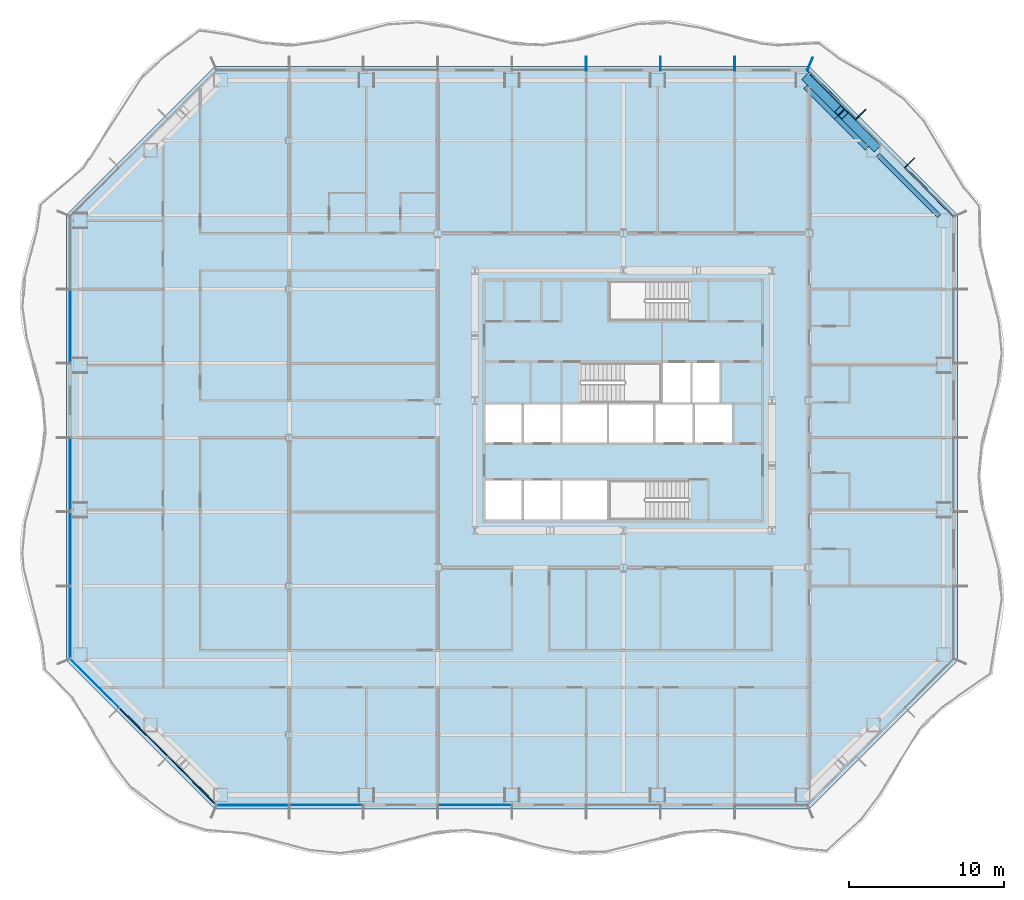
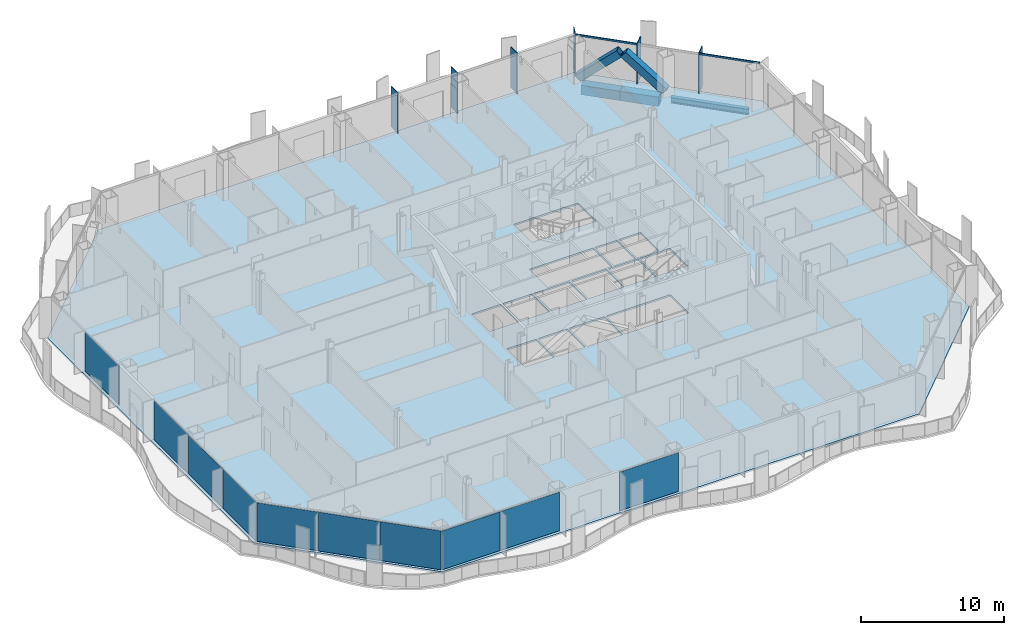
# One storey, part 4 of 18: 10 members, 10 plates, 3 beams, 1 slab, 5 elements without a shape of their own.
"""IFC4 building model written with IfcOpenShell, lengths in metres."""

from ifc_helpers import new_model, si_unit, direction, frame, origin, origin_2d, place, context, subcontext, project, spatial, polyline, rectangle, hollow_rectangle, i_section, outline, extrude, material, layer, layer_set, material_profile, profile_set, type_object, element, aggregate, save


model = new_model("IFC4")

# Units and contexts
model_context = context("Model", 3, precision=1e-05, world=origin(), true_north=direction((0.0, 1.0)))
body_context = subcontext(model_context, "Body", "Model", "MODEL_VIEW")
ifc_project = project(units=[si_unit("LENGTHUNIT", "METRE"), si_unit("AREAUNIT", "SQUARE_METRE"), si_unit("VOLUMEUNIT", "CUBIC_METRE"), si_unit("PLANEANGLEUNIT", "RADIAN"), si_unit("MASSUNIT", "GRAM", prefix="KILO")], contexts=[model_context])

# Site, building, storey
site_placement = place(None, origin())
site = spatial("IfcSite", under=ifc_project, at=site_placement, CompositionType="ELEMENT")
building_placement = place(site_placement, origin())
building = spatial("IfcBuilding", under=site, at=building_placement, Name="Cairn Pilgrim Tower", CompositionType="ELEMENT")
storey_placement = place(building_placement, frame((0.0, 0.0, 65.39990234375)))
storey = spatial("IfcBuildingStorey", under=building, at=storey_placement, Name="L14", CompositionType="ELEMENT", Elevation=65.39990234375)

# Members
ifc_material_1 = material(Name="Structural steel S460M", Category="steel")
ifc_material_profile_1 = material_profile(ifc_material_1, hollow_rectangle(XDim=0.60009765625, YDim=0.60009765625, WallThickness=0.034912109375, at=origin_2d()), Name="BOX 600x600x35")
ifc_profile_set_1 = profile_set([ifc_material_profile_1], Name="Structural steel S460M")
member_type_1 = type_object("IfcMemberType", Name="BOX 600x600x35 BRACE", PredefinedType="BRACE", material=ifc_profile_set_1)
for number, where, z_axis, x_axis, name in (
    (1, (23.4873046875, 18.814697265625, 0.150146484375), (-0.528960912345, 0.52889942671, 0.663675937214), (-0.70706568108, -0.707147878904, 0.0), "XB-NE2-N1-1"),
    (2, (19.078125, 23.2236328125, 0.150146484375), (0.528943710525, -0.528943710525, 0.663654354459), (0.707106781187, 0.707106781187, 0.0), "XB-NE2-N1-2"),
):
    element("IfcMember", number, at=place(storey_placement, frame(where, z_axis=z_axis, x_axis=x_axis)), inside=storey, type_object=member_type_1, Name=name, PredefinedType="BRACE", context=body_context, shape_type="SweptSolid", body=[
        extrude(hollow_rectangle(XDim=0.60009765625, YDim=0.60009765625, WallThickness=0.034912109375, at=origin_2d()), origin(), (0.0, 0.0, 1.0), 3.970703125),
    ])

# Beams
ifc_material_2 = material(Name="Structural steel S355J2", Category="steel")
ifc_material_profile_2 = material_profile(ifc_material_2, hollow_rectangle(XDim=0.699951171875, YDim=0.800048828125, WallThickness=0.0400390625, at=origin_2d()), Name="BOX 700x800x40")
ifc_profile_set_2 = profile_set([ifc_material_profile_2], Name="Structural steel S355J2")
beam_type_1 = type_object("IfcBeamType", Name="BOX 700x800x40 RING GIRDER", PredefinedType="SPANDREL", material=ifc_profile_set_2)
beam_1_placement = place(storey_placement, frame((23.0771484375, 18.85009765625, -0.5498046875), z_axis=(-0.707106781187, 0.707106781187, 0.0), x_axis=(-0.707106781187, -0.707106781187, 0.0)))
element("IfcBeam", 3, at=beam_1_placement, inside=storey, type_object=beam_type_1, Name="RG1-NE2-N1-1", PredefinedType="SPANDREL", context=body_context, shape_type="SweptSolid", body=[
    extrude(hollow_rectangle(XDim=0.699951171875, YDim=0.800048828125, WallThickness=0.0400390625, at=origin_2d()), origin(), (0.0, 0.0, 1.0), 2.802490234375),
])
beam_2_placement = place(storey_placement, frame((21.095458984375, 20.831787109375, -0.5498046875), z_axis=(-0.707106781187, 0.707106781187, 0.0), x_axis=(-0.707106781187, -0.707106781187, 0.0)))
element("IfcBeam", 4, at=beam_2_placement, inside=storey, type_object=beam_type_1, Name="RG1-NE2-N1-2", PredefinedType="SPANDREL", context=body_context, shape_type="SweptSolid", body=[
    extrude(hollow_rectangle(XDim=0.699951171875, YDim=0.800048828125, WallThickness=0.0400390625, at=origin_2d()), origin(), (0.0, 0.0, 1.0), 2.802978515625),
])

# Curtain wall, members
ifc_material_3 = material(Name="Aluminium alloy 6063-T6 bronze anodised with Bronze tinted laminated low-E glass 8+16+8.8", Category="aluminium")
curtain_wall_type_1 = type_object("IfcCurtainWallType", Name="CHAMFER CORNER CURTAIN WALL", PredefinedType="NOTDEFINED", material=ifc_material_3)
curtain_wall_1_placement = place(storey_placement, origin())
curtain_wall_1 = element("IfcCurtainWall", 5, at=curtain_wall_1_placement, inside=storey, type_object=curtain_wall_type_1, Name="Chamfer Corner Curtain Wall NE", PredefinedType="NOTDEFINED")
ifc_material_4 = material(Name="Aluminium alloy 6063-T6 bronze anodised", Category="aluminium")
ifc_material_profile_3 = material_profile(ifc_material_4, rectangle(XDim=0.89990234375, YDim=0.06005859375, at=origin_2d()), Name="FIN MULLION 60x900 BRONZE")
ifc_profile_set_3 = profile_set([ifc_material_profile_3], Name="Aluminium alloy 6063-T6 bronze anodised")
member_type_2 = type_object("IfcMemberType", Name="FIN MULLION 60x900 BRONZE", PredefinedType="MULLION", material=ifc_profile_set_3)
member_1_placement = place(storey_placement, frame((25.69580078125, 17.74462890625, 0.0), z_axis=(0.0, 0.0, 1.0), x_axis=(0.707106781187, 0.707106781187, 0.0)))
member_1 = element("IfcMember", 6, at=member_1_placement, type_object=member_type_2, Name="Fin mullion NE2", PredefinedType="MULLION", context=body_context, shape_type="SweptSolid", body=[
    extrude(rectangle(XDim=0.89990234375, YDim=0.06005859375, at=origin_2d()), origin(), (0.0, 0.0, 1.0), 3.4501953125),
])
member_2_placement = place(storey_placement, frame((22.544677734375, 20.895751953125, 0.0), z_axis=(0.0, 0.0, 1.0), x_axis=(0.707106781187, 0.707106781187, 0.0)))
member_2 = element("IfcMember", 7, at=member_2_placement, type_object=member_type_2, Name="Fin mullion NE3", PredefinedType="MULLION", context=body_context, shape_type="SweptSolid", body=[
    extrude(rectangle(XDim=0.89990234375, YDim=0.06005859375, at=origin_2d()), origin(), (0.0, 0.0, 1.0), 3.4501953125),
])

curtain_wall_type_2 = type_object("IfcCurtainWallType", Name="TOWER STICK CURTAIN WALL NS", PredefinedType="NOTDEFINED", material=ifc_material_3)
curtain_wall_2_placement = place(storey_placement, origin())
curtain_wall_2 = element("IfcCurtainWall", 8, at=curtain_wall_2_placement, inside=storey, type_object=curtain_wall_type_2, Name="Tower Stick Curtain Wall Ns N", PredefinedType="NOTDEFINED")
member_3_placement = place(storey_placement, frame((19.257080078125, 24.137939453125, 0.0), z_axis=(0.0, 0.0, 1.0), x_axis=(0.382683432365, 0.923879532511, 0.0)))
member_3 = element("IfcMember", 9, at=member_3_placement, type_object=member_type_2, Name="Fin mullion N1", PredefinedType="MULLION", context=body_context, shape_type="SweptSolid", body=[
    extrude(rectangle(XDim=0.89990234375, YDim=0.06005859375, at=origin_2d()), origin(), (0.0, 0.0, 1.0), 3.4501953125),
])
member_4_placement = place(storey_placement, frame((14.39990234375, 24.169921875, 0.0), z_axis=(0.0, 0.0, 1.0), x_axis=(0.0, 1.0, 0.0)))
member_4 = element("IfcMember", 10, at=member_4_placement, type_object=member_type_2, Name="Fin mullion N2", PredefinedType="MULLION", context=body_context, shape_type="SweptSolid", body=[
    extrude(rectangle(XDim=0.89990234375, YDim=0.06005859375, at=origin_2d()), origin(), (0.0, 0.0, 1.0), 3.4501953125),
])
member_5_placement = place(storey_placement, frame((9.60009765625, 24.169921875, 0.0), z_axis=(0.0, 0.0, 1.0), x_axis=(0.0, 1.0, 0.0)))
member_5 = element("IfcMember", 11, at=member_5_placement, type_object=member_type_2, Name="Fin mullion N3", PredefinedType="MULLION", context=body_context, shape_type="SweptSolid", body=[
    extrude(rectangle(XDim=0.89990234375, YDim=0.06005859375, at=origin_2d()), origin(), (0.0, 0.0, 1.0), 3.4501953125),
])
member_6_placement = place(storey_placement, frame((4.800048828125, 24.169921875, 0.0), z_axis=(0.0, 0.0, 1.0), x_axis=(0.0, 1.0, 0.0)))
member_6 = element("IfcMember", 12, at=member_6_placement, type_object=member_type_2, Name="Fin mullion N4", PredefinedType="MULLION", context=body_context, shape_type="SweptSolid", body=[
    extrude(rectangle(XDim=0.89990234375, YDim=0.06005859375, at=origin_2d()), origin(), (0.0, 0.0, 1.0), 3.4501953125),
])
aggregate(curtain_wall_2, [member_3, member_4, member_5, member_6])

# Beam
ifc_material_profile_4 = material_profile(ifc_material_2, i_section(OverallWidth=0.300048828125, OverallDepth=0.5, WebThickness=0.014404296875, FlangeThickness=0.028076171875, FilletRadius=0.027099609375, at=origin_2d()), Name="HEB 500")
ifc_profile_set_4 = profile_set([ifc_material_profile_4], Name="Structural steel S355J2")
beam_type_2 = type_object("IfcBeamType", Name="HEB 500 RING GIRDER", PredefinedType="SPANDREL", material=ifc_profile_set_4)
beam_3_placement = place(storey_placement, frame((27.613525390625, 14.313720703125, -0.39990234375), z_axis=(-0.707128558756, 0.707085002947, 0.0), x_axis=(-0.707085002947, -0.707128558756, 0.0)))
element("IfcBeam", 13, at=beam_3_placement, inside=storey, type_object=beam_type_2, Name="RG1-NE1-NE2", PredefinedType="SPANDREL", context=body_context, shape_type="SweptSolid", body=[
    extrude(i_section(OverallWidth=0.300048828125, OverallDepth=0.5, WebThickness=0.014404296875, FlangeThickness=0.028076171875, FilletRadius=0.027099609375, at=origin_2d()), origin(), (0.0, 0.0, 1.0), 5.605224609375),
])

# Member
ifc_material_profile_5 = material_profile(ifc_material_4, rectangle(XDim=0.080078125, YDim=0.14990234375, at=origin_2d()), Name="TRANSOM 80x150 BRONZE")
ifc_profile_set_5 = profile_set([ifc_material_profile_5], Name="Aluminium alloy 6063-T6 bronze anodised")
member_type_3 = type_object("IfcMemberType", Name="TRANSOM 80x150 BRONZE", PredefinedType="USERDEFINED", material=ifc_profile_set_5)
member_7_placement = place(storey_placement, frame((28.521728515625, 14.32470703125, 3.375), z_axis=(-0.707106781187, 0.707106781187, 0.0), x_axis=(-0.707106781187, -0.707106781187, 0.0)))
member_7 = element("IfcMember", 14, at=member_7_placement, type_object=member_type_3, Name="Transom NE1", ObjectType="TRANSOM", PredefinedType="USERDEFINED", context=body_context, shape_type="SweptSolid", body=[
    extrude(rectangle(XDim=0.080078125, YDim=0.14990234375, at=origin_2d()), origin(), (0.0, 0.0, 1.0), 4.38671875),
])

member_8_placement = place(storey_placement, frame((22.226318359375, 20.6201171875, 3.375), z_axis=(-0.707106781187, 0.707106781187, 0.0), x_axis=(-0.707106781187, -0.707106781187, 0.0)))
member_8 = element("IfcMember", 15, at=member_8_placement, type_object=member_type_3, Name="Transom NE3", ObjectType="TRANSOM", PredefinedType="USERDEFINED", context=body_context, shape_type="SweptSolid", body=[
    extrude(rectangle(XDim=0.080078125, YDim=0.14990234375, at=origin_2d()), origin(), (0.0, 0.0, 1.0), 4.38623046875),
])

aggregate(curtain_wall_1, [member_1, member_2, member_7, member_8])

# Slab
ifc_material_5 = material(Name="Concrete C35/45", Category="concrete")
ifc_layer_1 = layer(ifc_material_5, 0.14990234375)
ifc_layer_set_1 = layer_set([ifc_layer_1], Name="COMPOSITE FLOOR SLAB 150")
slab_type = type_object("IfcSlabType", Name="COMPOSITE FLOOR SLAB 150", PredefinedType="FLOOR", material=ifc_layer_set_1)
slab_placement = place(storey_placement, frame((0.0, 0.0, -0.14990234375)))
element("IfcSlab", 16, at=slab_placement, inside=storey, type_object=slab_type, Name="FLOOR SLAB L14", PredefinedType="FLOOR", context=body_context, shape_type="SweptSolid", body=[
    extrude(outline(polyline([(-19.199951171875, -24.0), (19.199951171875, -24.0), (28.800048828125, -14.39990234375), (28.800048828125, 14.39990234375), (19.199951171875, 24.0), (-19.199951171875, 24.0), (-28.800048828125, 14.39990234375), (-28.800048828125, -14.39990234375), (-19.199951171875, -24.0)]), holes=[polyline([(-1.72509765625, -5.300048828125), (0.625, -5.300048828125), (0.625, -2.77490234375), (-1.72509765625, -2.77490234375), (-1.72509765625, -5.300048828125)]), polyline([(0.77490234375, -5.300048828125), (3.125, -5.300048828125), (3.125, -2.77490234375), (0.77490234375, -2.77490234375), (0.77490234375, -5.300048828125)]), polyline([(-1.72509765625, -0.324951171875), (0.625, -0.324951171875), (0.625, 2.125), (-1.72509765625, 2.125), (-1.72509765625, -0.324951171875)]), polyline([(0.77490234375, -0.324951171875), (3.125, -0.324951171875), (3.125, 2.125), (0.77490234375, 2.125), (0.77490234375, -0.324951171875)]), polyline([(3.27490234375, -5.300048828125), (6.125, -5.300048828125), (6.125, -2.77490234375), (3.27490234375, -2.77490234375), (3.27490234375, -5.300048828125)]), polyline([(3.27490234375, -0.324951171875), (6.125, -0.324951171875), (6.125, 2.125), (3.27490234375, 2.125), (3.27490234375, -0.324951171875)]), polyline([(6.27490234375, -0.324951171875), (9.125, -0.324951171875), (9.125, 2.125), (6.27490234375, 2.125), (6.27490234375, -0.324951171875)]), polyline([(9.27490234375, -0.324951171875), (11.675048828125, -0.324951171875), (11.675048828125, 2.125), (9.27490234375, 2.125), (9.27490234375, -0.324951171875)]), polyline([(11.824951171875, -0.324951171875), (14.22509765625, -0.324951171875), (14.22509765625, 2.125), (11.824951171875, 2.125), (11.824951171875, -0.324951171875)]), polyline([(9.77490234375, 2.27490234375), (11.52490234375, 2.27490234375), (11.52490234375, 4.824951171875), (9.77490234375, 4.824951171875), (9.77490234375, 2.27490234375)]), polyline([(11.675048828125, 2.27490234375), (13.425048828125, 2.27490234375), (13.425048828125, 4.824951171875), (11.675048828125, 4.824951171875), (11.675048828125, 2.27490234375)]), polyline([(11.424560546875, -2.77490234375), (6.27490234375, -2.77490234375), (6.27490234375, -5.300048828125), (11.424560546875, -5.300048828125), (11.424560546875, -2.77490234375)]), polyline([(4.4755859375, 2.27490234375), (9.625, 2.27490234375), (9.625, 4.824951171875), (4.4755859375, 4.824951171875), (4.4755859375, 2.27490234375)]), polyline([(11.424560546875, 10.10009765625), (6.27490234375, 10.10009765625), (6.27490234375, 7.574951171875), (11.424560546875, 7.574951171875), (11.424560546875, 10.10009765625)])]), origin(), (0.0, 0.0, 1.0), 0.14990234375),
])

# Curtain wall, plates
curtain_wall_3_placement = place(storey_placement, origin())
curtain_wall_3 = element("IfcCurtainWall", 17, at=curtain_wall_3_placement, inside=storey, type_object=curtain_wall_type_1, Name="Chamfer Corner Curtain Wall SW", PredefinedType="NOTDEFINED")
ifc_material_6 = material(Name="Bronze anodised aluminium spandrel panel with mineral wool insulation", Category="aluminium")
ifc_layer_2 = layer(ifc_material_6, 0.06005859375)
ifc_layer_set_2 = layer_set([ifc_layer_2], Name="SPANDREL PANEL 4386x3300")
plate_type_1 = type_object("IfcPlateType", Name="SPANDREL PANEL 4386x3300", PredefinedType="CURTAIN_PANEL", material=ifc_layer_set_2)
plate_1_placement = place(storey_placement, frame((-20.675537109375, -22.1708984375, 0.0), z_axis=(0.0, 0.0, 1.0), x_axis=(0.707106781187, -0.707106781187, 0.0)))
plate_1 = element("IfcPlate", 18, at=plate_1_placement, type_object=plate_type_1, Name="Spandrel Panel SW3-1", PredefinedType="CURTAIN_PANEL", context=body_context, shape_type="SweptSolid", body=[
    extrude(rectangle(XDim=4.386474609375, YDim=0.06005859375, at=origin_2d()), origin(), (0.0, 0.0, 1.0), 3.300048828125),
])
ifc_layer_3 = layer(ifc_material_6, 0.06005859375)
ifc_layer_set_3 = layer_set([ifc_layer_3], Name="SPANDREL PANEL 4396x3300")
plate_type_2 = type_object("IfcPlateType", Name="SPANDREL PANEL 4396x3300", PredefinedType="CURTAIN_PANEL", material=ifc_layer_set_3)
plate_2_placement = place(storey_placement, frame((-23.8232421875, -19.023193359375, 0.0), z_axis=(0.0, 0.0, 1.0), x_axis=(0.707106781187, -0.707106781187, 0.0)))
plate_2 = element("IfcPlate", 19, at=plate_2_placement, type_object=plate_type_2, Name="Spandrel Panel SW2-1", PredefinedType="CURTAIN_PANEL", context=body_context, shape_type="SweptSolid", body=[
    extrude(rectangle(XDim=4.396484375, YDim=0.06005859375, at=origin_2d()), origin(), (0.0, 0.0, 1.0), 3.300048828125),
])

# Curtain wall, plate
curtain_wall_4_placement = place(storey_placement, origin())
curtain_wall_4 = element("IfcCurtainWall", 20, at=curtain_wall_4_placement, inside=storey, type_object=curtain_wall_type_2, Name="Tower Stick Curtain Wall Ns S", PredefinedType="NOTDEFINED")
ifc_layer_4 = layer(ifc_material_6, 0.06005859375)
ifc_layer_set_4 = layer_set([ifc_layer_4], Name="SPANDREL PANEL 4626x3300")
plate_type_3 = type_object("IfcPlateType", Name="SPANDREL PANEL 4626x3300", PredefinedType="CURTAIN_PANEL", material=ifc_layer_set_4)
plate_3_placement = place(storey_placement, frame((-16.7431640625, -23.75, 0.0), z_axis=(0.0, 0.0, 1.0), x_axis=(1.0, 0.0, 0.0)))
plate_3 = element("IfcPlate", 21, at=plate_3_placement, type_object=plate_type_3, Name="Spandrel Panel S1-1", PredefinedType="CURTAIN_PANEL", context=body_context, shape_type="SweptSolid", body=[
    extrude(rectangle(XDim=4.62646484375, YDim=0.06005859375, at=origin_2d()), origin(), (0.0, 0.0, 1.0), 3.300048828125),
])

# Plate
ifc_material_7 = material(Name="Bronze tinted laminated low-E glass 8+16+8.8", Category="glass")
ifc_layer_5 = layer(ifc_material_7, 0.033935546875)
ifc_layer_set_5 = layer_set([ifc_layer_5], Name="VISION GLAZING 4386x3300")
plate_type_4 = type_object("IfcPlateType", Name="VISION GLAZING 4386x3300", PredefinedType="CURTAIN_PANEL", material=ifc_layer_set_5)
plate_4_placement = place(storey_placement, frame((-26.970947265625, -15.87548828125, 0.0), z_axis=(0.0, 0.0, 1.0), x_axis=(0.707106781187, -0.707106781187, 0.0)))
plate_4 = element("IfcPlate", 22, at=plate_4_placement, type_object=plate_type_4, Name="Vision Glazing SW1-1", PredefinedType="CURTAIN_PANEL", context=body_context, shape_type="SweptSolid", body=[
    extrude(rectangle(XDim=4.386474609375, YDim=0.033935546875, at=origin_2d()), origin(), (0.0, 0.0, 1.0), 3.300048828125),
])

aggregate(curtain_wall_3, [plate_4, plate_2, plate_1])

# Curtain wall, plate
curtain_wall_type_3 = type_object("IfcCurtainWallType", Name="TOWER STICK CURTAIN WALL EW", PredefinedType="NOTDEFINED", material=ifc_material_3)
curtain_wall_5_placement = place(storey_placement, origin())
curtain_wall_5 = element("IfcCurtainWall", 23, at=curtain_wall_5_placement, inside=storey, type_object=curtain_wall_type_3, Name="Tower Stick Curtain Wall Ew W", PredefinedType="NOTDEFINED")
ifc_layer_6 = layer(ifc_material_7, 0.033935546875)
ifc_layer_set_6 = layer_set([ifc_layer_6], Name="VISION GLAZING 4626x3300")
plate_type_5 = type_object("IfcPlateType", Name="VISION GLAZING 4626x3300", PredefinedType="CURTAIN_PANEL", material=ifc_layer_set_6)
plate_5_placement = place(storey_placement, frame((-28.550048828125, -11.943115234375, 0.0), z_axis=(0.0, 0.0, 1.0), x_axis=(0.0, -1.0, 0.0)))
plate_5 = element("IfcPlate", 24, at=plate_5_placement, type_object=plate_type_5, Name="Vision Glazing W6-1", PredefinedType="CURTAIN_PANEL", context=body_context, shape_type="SweptSolid", body=[
    extrude(rectangle(XDim=4.62646484375, YDim=0.033935546875, at=origin_2d()), origin(), (0.0, 0.0, 1.0), 3.300048828125),
])

# Plate
ifc_layer_7 = layer(ifc_material_7, 0.033935546875)
ifc_layer_set_7 = layer_set([ifc_layer_7], Name="VISION GLAZING 4740x3300")
plate_type_6 = type_object("IfcPlateType", Name="VISION GLAZING 4740x3300", PredefinedType="CURTAIN_PANEL", material=ifc_layer_set_7)
plate_6_placement = place(storey_placement, frame((-12.0, -23.75, 0.0), z_axis=(0.0, 0.0, 1.0), x_axis=(1.0, 0.0, 0.0)))
plate_6 = element("IfcPlate", 25, at=plate_6_placement, type_object=plate_type_6, Name="Vision Glazing S2-1", PredefinedType="CURTAIN_PANEL", context=body_context, shape_type="SweptSolid", body=[
    extrude(rectangle(XDim=4.739990234375, YDim=0.033935546875, at=origin_2d()), origin(), (0.0, 0.0, 1.0), 3.300048828125),
])

plate_7_placement = place(storey_placement, frame((-2.39990234375, -23.75, 0.0), z_axis=(0.0, 0.0, 1.0), x_axis=(1.0, 0.0, 0.0)))
plate_7 = element("IfcPlate", 26, at=plate_7_placement, type_object=plate_type_6, Name="Vision Glazing S4-1", PredefinedType="CURTAIN_PANEL", context=body_context, shape_type="SweptSolid", body=[
    extrude(rectangle(XDim=4.739990234375, YDim=0.033935546875, at=origin_2d()), origin(), (0.0, 0.0, 1.0), 3.300048828125),
])

aggregate(curtain_wall_4, [plate_3, plate_6, plate_7])

plate_8_placement = place(storey_placement, frame((-28.550048828125, 7.199951171875, 0.0), z_axis=(0.0, 0.0, 1.0), x_axis=(0.0, -1.0, 0.0)))
plate_8 = element("IfcPlate", 27, at=plate_8_placement, type_object=plate_type_6, Name="Vision Glazing W2-1", PredefinedType="CURTAIN_PANEL", context=body_context, shape_type="SweptSolid", body=[
    extrude(rectangle(XDim=4.739990234375, YDim=0.033935546875, at=origin_2d()), origin(), (0.0, 0.0, 1.0), 3.300048828125),
])

plate_9_placement = place(storey_placement, frame((-28.550048828125, -2.39990234375, 0.0), z_axis=(0.0, 0.0, 1.0), x_axis=(0.0, -1.0, 0.0)))
plate_9 = element("IfcPlate", 28, at=plate_9_placement, type_object=plate_type_6, Name="Vision Glazing W4-1", PredefinedType="CURTAIN_PANEL", context=body_context, shape_type="SweptSolid", body=[
    extrude(rectangle(XDim=4.739990234375, YDim=0.033935546875, at=origin_2d()), origin(), (0.0, 0.0, 1.0), 3.300048828125),
])

plate_10_placement = place(storey_placement, frame((-28.550048828125, -7.199951171875, 0.0), z_axis=(0.0, 0.0, 1.0), x_axis=(0.0, -1.0, 0.0)))
plate_10 = element("IfcPlate", 29, at=plate_10_placement, type_object=plate_type_6, Name="Vision Glazing W5-1", PredefinedType="CURTAIN_PANEL", context=body_context, shape_type="SweptSolid", body=[
    extrude(rectangle(XDim=4.739990234375, YDim=0.033935546875, at=origin_2d()), origin(), (0.0, 0.0, 1.0), 3.300048828125),
])

aggregate(curtain_wall_5, [plate_8, plate_9, plate_10, plate_5])

save(model, "model.ifc")
